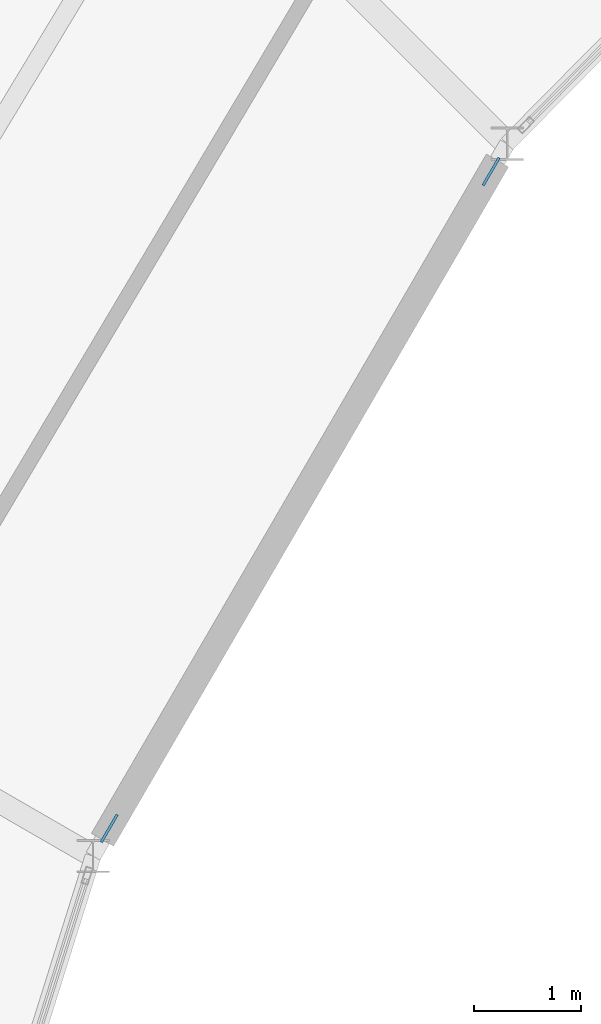
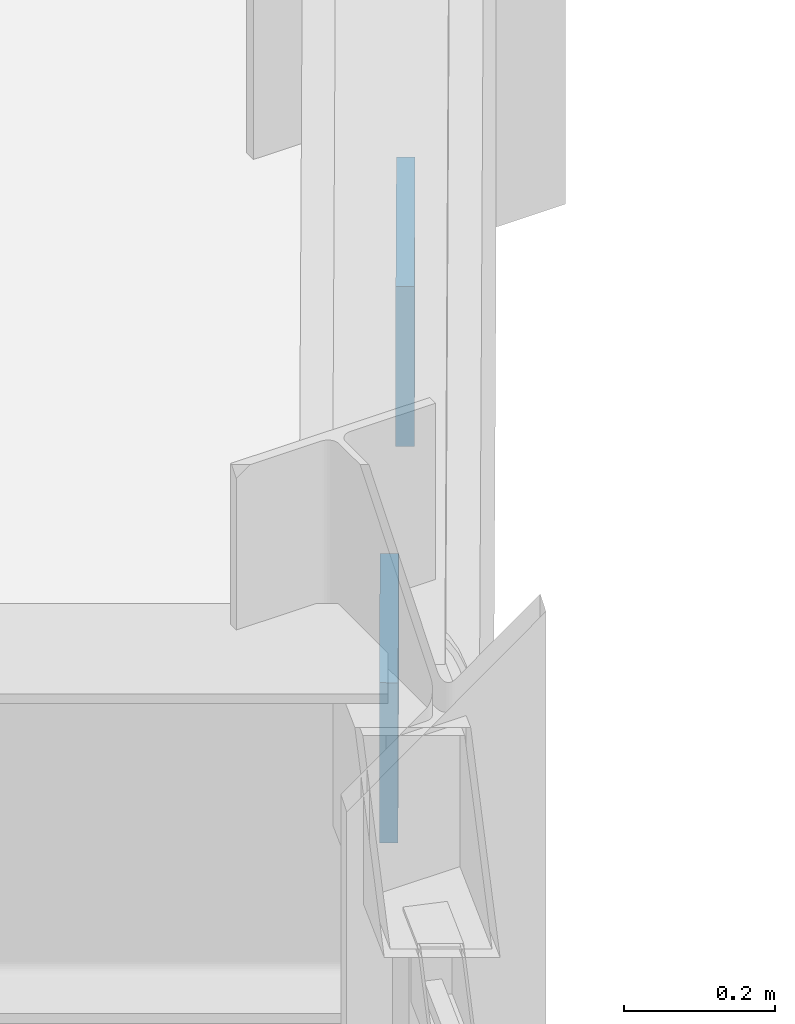
# One storey, part 117 of 144: 2 plates.
"""IFC4 building model written with IfcOpenShell, lengths in metres."""

from ifc_helpers import new_model, si_unit, direction, frame, origin, origin_2d, place, context, subcontext, project, spatial, rectangle, extrude, material, layer, layer_set, type_object, element, save


model = new_model("IFC4")

# Units and contexts
model_context = context("Model", 3, precision=1e-05, world=origin(), true_north=direction((0.0, 1.0)))
body_context = subcontext(model_context, "Body", "Model", "MODEL_VIEW")
ifc_project = project(units=[si_unit("LENGTHUNIT", "METRE"), si_unit("AREAUNIT", "SQUARE_METRE"), si_unit("VOLUMEUNIT", "CUBIC_METRE"), si_unit("PLANEANGLEUNIT", "RADIAN"), si_unit("MASSUNIT", "GRAM", prefix="KILO")], contexts=[model_context])

# Site, building, storey
site_placement = place(None, origin())
site = spatial("IfcSite", under=ifc_project, at=site_placement, CompositionType="ELEMENT")
building_placement = place(site_placement, origin())
building = spatial("IfcBuilding", under=site, at=building_placement, Name="Karori Crest Natural Sciences Institute", CompositionType="ELEMENT")
storey_placement = place(building_placement, origin())
storey = spatial("IfcBuildingStorey", under=building, at=storey_placement, Name="L00", CompositionType="ELEMENT", Elevation=0.0)

# Plates
ifc_material = material(Name="Structural steel AS/NZS 3679.1 Grade 350", Category="steel")
ifc_layer = layer(ifc_material, 0.02490234375, Name="Structural steel AS/NZS 3679.1 Grade 350")
ifc_layer_set = layer_set([ifc_layer], Name="Structural steel AS/NZS 3679.1 Grade 350")
plate_type = type_object("IfcPlateType", Name="PLT-06", PredefinedType="SHEET", material=ifc_layer_set)
for number, where, z_axis, x_axis, name in (
    (1, (48.995849609375, 72.409423828125, -0.11962890625), (0.0, 0.0, 1.0), (0.502651840669, 0.86448893982, 0.0), "Brace gusset plate EP-0011"),
    (2, (45.419921875, 66.25927734375, 4.220703125), (0.0, 0.0, 1.0), (0.502651840669, 0.86448893982, 0.0), "Brace gusset plate EP-0012"),
):
    element("IfcPlate", number, at=place(storey_placement, frame(where, z_axis=z_axis, x_axis=x_axis)), inside=storey, type_object=plate_type, Name=name, PredefinedType="SHEET", context=body_context, shape_type="SweptSolid", body=[
        extrude(rectangle(XDim=0.299072265625, YDim=0.02490234375, at=origin_2d()), origin(), (0.0, 0.0, 1.0), 0.259033203125),
    ])

save(model, "model.ifc")
